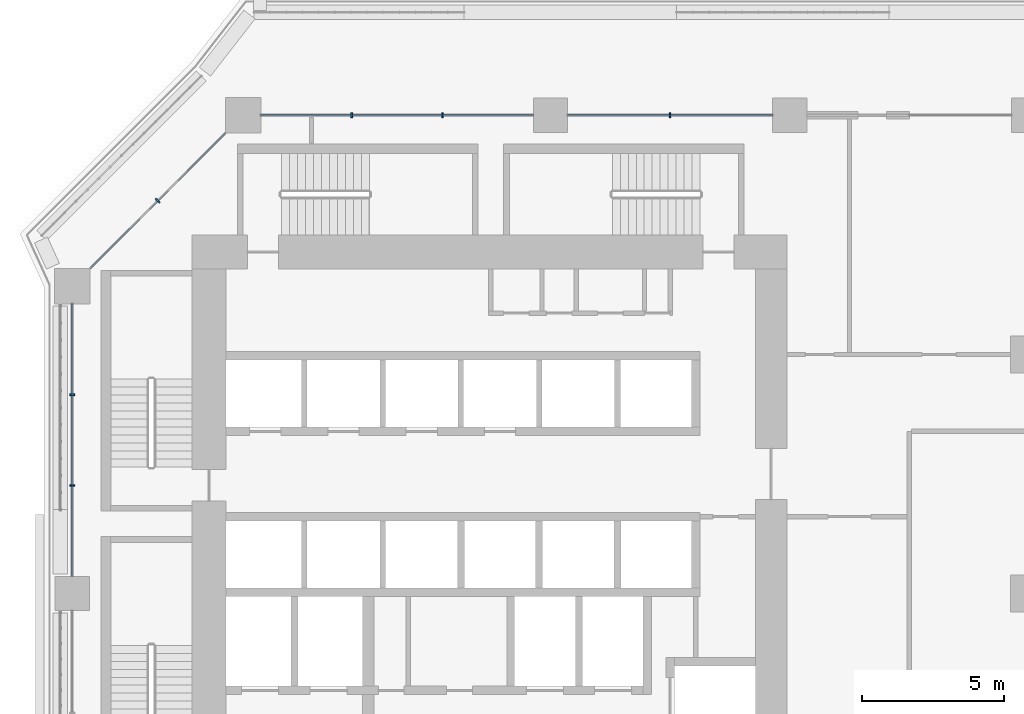
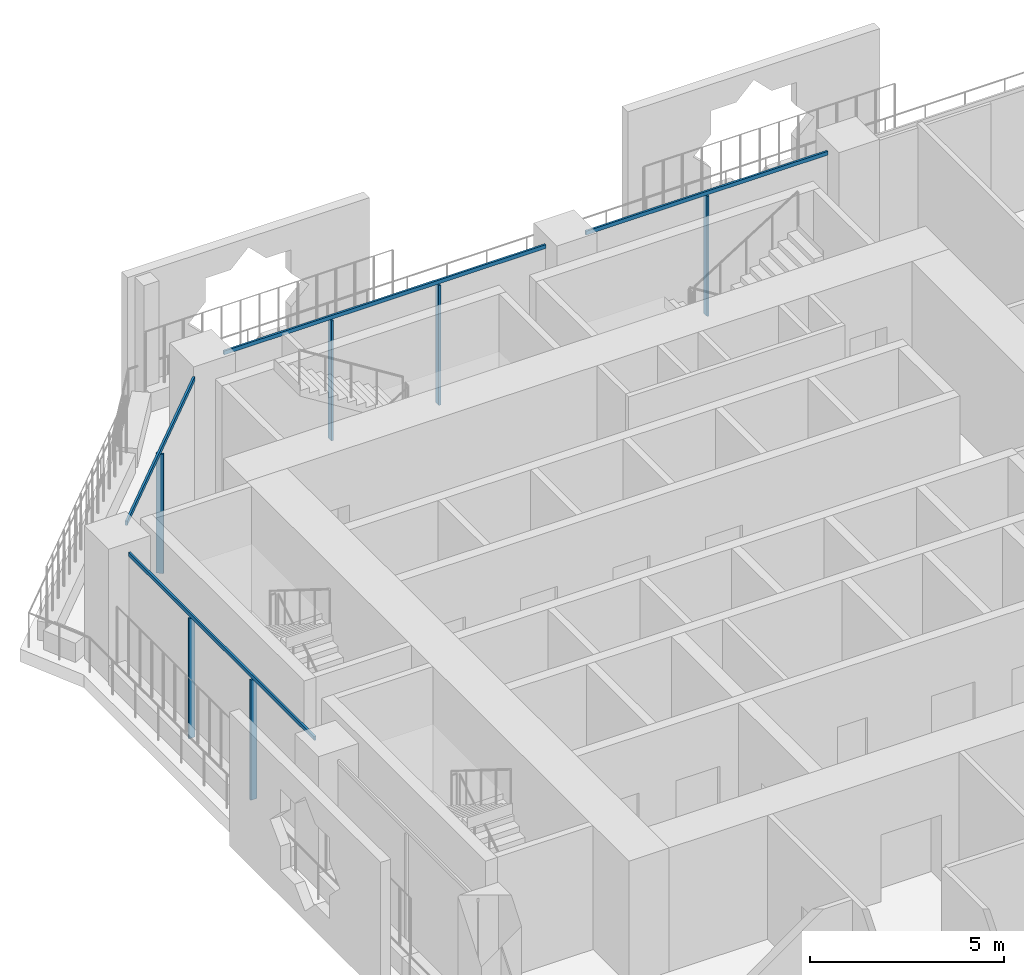
# One storey, part 7 of 27: 10 members, 3 elements without a shape of their own.
"""IFC4 building model written with IfcOpenShell, lengths in metres."""

from ifc_helpers import new_model, si_unit, direction, frame, origin, origin_2d, place, context, subcontext, project, spatial, rectangle, extrude, material, layer, layer_set, material_profile, profile_set, type_object, element, aggregate, save


model = new_model("IFC4")

# Units and contexts
model_context = context("Model", 3, precision=1e-05, world=origin(), true_north=direction((0.0, 1.0)))
body_context = subcontext(model_context, "Body", "Model", "MODEL_VIEW")
ifc_project = project(units=[si_unit("LENGTHUNIT", "METRE"), si_unit("AREAUNIT", "SQUARE_METRE"), si_unit("VOLUMEUNIT", "CUBIC_METRE"), si_unit("PLANEANGLEUNIT", "RADIAN"), si_unit("MASSUNIT", "GRAM", prefix="KILO")], contexts=[model_context])

# Site, building, storey
site_placement = place(None, origin())
site = spatial("IfcSite", under=ifc_project, at=site_placement, CompositionType="ELEMENT")
building_placement = place(site_placement, origin())
building = spatial("IfcBuilding", under=site, at=building_placement, Name="Kawkab Arch Medical Tower", CompositionType="ELEMENT")
storey_placement = place(building_placement, frame((0.0, 0.0, 43.39990234375)))
storey = spatial("IfcBuildingStorey", under=building, at=storey_placement, Name="L09", CompositionType="ELEMENT", Elevation=43.39990234375)

# Curtain wall, members
ifc_material_1 = material(Name="Bronze anodised aluminium curtain wall frame", Category="aluminium")
ifc_layer_1 = layer(ifc_material_1, 0.159912109375)
ifc_layer_set_1 = layer_set([ifc_layer_1], Name="Bronze anodised aluminium curtain wall frame")
curtain_wall_type_1 = type_object("IfcCurtainWallType", Name="CW1 ward curtain wall", PredefinedType="NOTDEFINED", material=ifc_layer_set_1)
placement = place(storey_placement, origin())
curtain_wall_1 = element("IfcCurtainWall", 1, at=placement, inside=storey, type_object=curtain_wall_type_1, Name="CW1 Ward curtain wall R09", PredefinedType="NOTDEFINED")
ifc_material_2 = material(Name="Bronze anodised aluminium curtain wall frame", Category="aluminium")
ifc_material_profile_1 = material_profile(ifc_material_2, rectangle(XDim=0.179931640625, YDim=0.06005859375, at=origin_2d()), Name="AL 60x180")
ifc_profile_set_1 = profile_set([ifc_material_profile_1], Name="Bronze anodised aluminium curtain wall frame")
member_type_1 = type_object("IfcMemberType", Name="CW1 mullion 60 x 180", PredefinedType="MULLION", material=ifc_profile_set_1)
member_1_placement = place(storey_placement, frame((21.0, 0.0, 0.0), z_axis=(0.0, 0.0, 1.0), x_axis=(0.0, -1.0, 0.0)))
member_1 = element("IfcMember", 2, at=member_1_placement, type_object=member_type_1, Name="CW1 mullion 7.1", PredefinedType="MULLION", context=body_context, shape_type="SweptSolid", body=[
    extrude(rectangle(XDim=0.179931640625, YDim=0.06005859375, at=origin_2d()), origin(), (0.0, 0.0, 1.0), 3.780029296875),
])
member_2_placement = place(storey_placement, frame((13.00830078125, 0.0, 0.0), z_axis=(0.0, 0.0, 1.0), x_axis=(0.0, -1.0, 0.0)))
member_2 = element("IfcMember", 3, at=member_2_placement, type_object=member_type_1, Name="CW1 mullion 8.1", PredefinedType="MULLION", context=body_context, shape_type="SweptSolid", body=[
    extrude(rectangle(XDim=0.179931640625, YDim=0.06005859375, at=origin_2d()), origin(), (0.0, 0.0, 1.0), 3.780029296875),
])
member_3_placement = place(storey_placement, frame((9.816650390625, 0.0, 0.0), z_axis=(0.0, 0.0, 1.0), x_axis=(0.0, -1.0, 0.0)))
member_3 = element("IfcMember", 4, at=member_3_placement, type_object=member_type_1, Name="CW1 mullion 8.2", PredefinedType="MULLION", context=body_context, shape_type="SweptSolid", body=[
    extrude(rectangle(XDim=0.179931640625, YDim=0.06005859375, at=origin_2d()), origin(), (0.0, 0.0, 1.0), 3.780029296875),
])

curtain_wall_2 = element("IfcCurtainWall", 5, at=placement, inside=storey, type_object=curtain_wall_type_1, Name="CW1 Ward curtain wall R11", PredefinedType="NOTDEFINED")
member_4_placement = place(storey_placement, frame((0.0, -9.816650390625, 0.0), z_axis=(0.0, 0.0, 1.0), x_axis=(1.0, 0.0, 0.0)))
member_4 = element("IfcMember", 6, at=member_4_placement, type_object=member_type_1, Name="CW1 mullion 1.1", PredefinedType="MULLION", context=body_context, shape_type="SweptSolid", body=[
    extrude(rectangle(XDim=0.179931640625, YDim=0.06005859375, at=origin_2d()), origin(), (0.0, 0.0, 1.0), 3.780029296875),
])
member_5_placement = place(storey_placement, frame((0.0, -13.00830078125, 0.0), z_axis=(0.0, 0.0, 1.0), x_axis=(1.0, 0.0, 0.0)))
member_5 = element("IfcMember", 7, at=member_5_placement, type_object=member_type_1, Name="CW1 mullion 1.2", PredefinedType="MULLION", context=body_context, shape_type="SweptSolid", body=[
    extrude(rectangle(XDim=0.179931640625, YDim=0.06005859375, at=origin_2d()), origin(), (0.0, 0.0, 1.0), 3.780029296875),
])

# Member
ifc_material_3 = material(Name="Bronze anodised aluminium curtain wall frame", Category="aluminium")
ifc_material_profile_2 = material_profile(ifc_material_3, rectangle(XDim=0.06005859375, YDim=0.1201171875, at=origin_2d()), Name="AL 60x120")
ifc_profile_set_2 = profile_set([ifc_material_profile_2], Name="Bronze anodised aluminium curtain wall frame")
member_type_2 = type_object("IfcMemberType", Name="CW1 transom 120 x 60", PredefinedType="USERDEFINED", material=ifc_profile_set_2)
member_6_placement = place(storey_placement, frame((24.60009765625, 0.0, 3.840087890625), z_axis=(-1.0, 0.0, 0.0), x_axis=(0.0, -1.0, 0.0)))
member_6 = element("IfcMember", 8, at=member_6_placement, type_object=member_type_2, Name="CW1 transom 7", ObjectType="TRANSOM", PredefinedType="USERDEFINED", context=body_context, shape_type="SweptSolid", body=[
    extrude(rectangle(XDim=0.06005859375, YDim=0.1201171875, at=origin_2d()), origin(), (0.0, 0.0, 1.0), 7.2001953125),
])

member_7_placement = place(storey_placement, frame((16.199951171875, 0.0, 3.840087890625), z_axis=(-1.0, 0.0, 0.0), x_axis=(0.0, -1.0, 0.0)))
member_7 = element("IfcMember", 9, at=member_7_placement, type_object=member_type_2, Name="CW1 transom 8", ObjectType="TRANSOM", PredefinedType="USERDEFINED", context=body_context, shape_type="SweptSolid", body=[
    extrude(rectangle(XDim=0.06005859375, YDim=0.1201171875, at=origin_2d()), origin(), (0.0, 0.0, 1.0), 9.574951171875),
])

aggregate(curtain_wall_1, [member_6, member_1, member_7, member_2, member_3])

member_8_placement = place(storey_placement, frame((0.0, -6.625, 3.840087890625), z_axis=(0.0, -1.0, 0.0), x_axis=(1.0, 0.0, 0.0)))
member_8 = element("IfcMember", 10, at=member_8_placement, type_object=member_type_2, Name="CW1 transom 1", ObjectType="TRANSOM", PredefinedType="USERDEFINED", context=body_context, shape_type="SweptSolid", body=[
    extrude(rectangle(XDim=0.06005859375, YDim=0.1201171875, at=origin_2d()), origin(), (0.0, 0.0, 1.0), 9.574951171875),
])

aggregate(curtain_wall_2, [member_8, member_4, member_5])

# Curtain wall, members
ifc_material_4 = material(Name="Bronze anodised aluminium curtain wall frame", Category="aluminium")
ifc_layer_2 = layer(ifc_material_4, 0.159912109375)
ifc_layer_set_2 = layer_set([ifc_layer_2], Name="Bronze anodised aluminium curtain wall frame")
curtain_wall_type_2 = type_object("IfcCurtainWallType", Name="CW2 chamfer curtain wall", PredefinedType="NOTDEFINED", material=ifc_layer_set_2)
curtain_wall_3 = element("IfcCurtainWall", 11, at=placement, inside=storey, type_object=curtain_wall_type_2, Name="CW2 Chamfer curtain wall R10", PredefinedType="NOTDEFINED")
ifc_material_5 = material(Name="Bronze anodised aluminium curtain wall frame", Category="aluminium")
ifc_material_profile_3 = material_profile(ifc_material_5, rectangle(XDim=0.199951171875, YDim=0.06005859375, at=origin_2d()), Name="AL 60x200")
ifc_profile_set_3 = profile_set([ifc_material_profile_3], Name="Bronze anodised aluminium curtain wall frame")
member_type_3 = type_object("IfcMemberType", Name="CW2 mullion 60 x 200", PredefinedType="MULLION", material=ifc_profile_set_3)
member_9_placement = place(storey_placement, frame((3.0, -3.0, 0.0), z_axis=(0.0, 0.0, 1.0), x_axis=(0.707106781187, -0.707106781187, 0.0)))
member_9 = element("IfcMember", 12, at=member_9_placement, type_object=member_type_3, Name="CW2 mullion 1.1", PredefinedType="MULLION", context=body_context, shape_type="SweptSolid", body=[
    extrude(rectangle(XDim=0.199951171875, YDim=0.06005859375, at=origin_2d()), origin(), (0.0, 0.0, 1.0), 3.760009765625),
])
ifc_material_6 = material(Name="Bronze anodised aluminium curtain wall frame", Category="aluminium")
ifc_material_profile_4 = material_profile(ifc_material_6, rectangle(XDim=0.06005859375, YDim=0.139892578125, at=origin_2d()), Name="AL 60x140")
ifc_profile_set_4 = profile_set([ifc_material_profile_4], Name="Bronze anodised aluminium curtain wall frame")
member_type_4 = type_object("IfcMemberType", Name="CW2 transom 140 x 60", PredefinedType="USERDEFINED", material=ifc_profile_set_4)
member_10_placement = place(storey_placement, frame((5.375, -0.625, 3.830078125), z_axis=(-0.707106781187, -0.707106781187, 0.0), x_axis=(0.707106781187, -0.707106781187, 0.0)))
member_10 = element("IfcMember", 13, at=member_10_placement, type_object=member_type_4, Name="CW2 transom 1", ObjectType="TRANSOM", PredefinedType="USERDEFINED", context=body_context, shape_type="SweptSolid", body=[
    extrude(rectangle(XDim=0.06005859375, YDim=0.139892578125, at=origin_2d()), origin(), (0.0, 0.0, 1.0), 6.717529296875),
])
aggregate(curtain_wall_3, [member_10, member_9])

save(model, "model.ifc")
